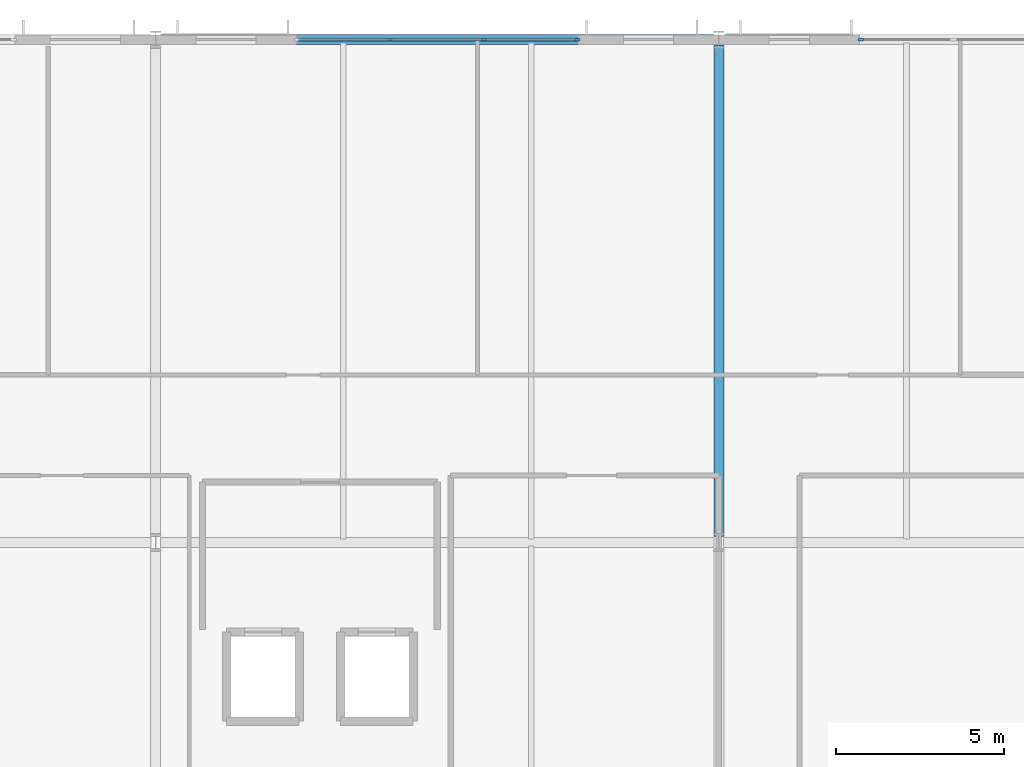
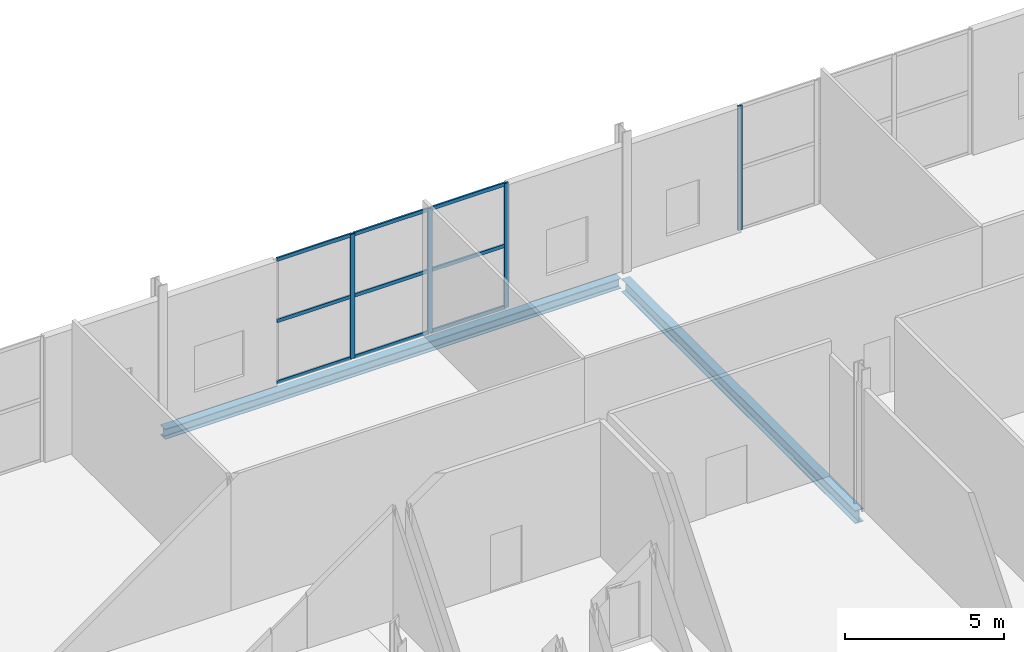
# One storey, part 33 of 84: 13 members, 2 beams, 2 elements without a shape of their own.
"""IFC4 building model written with IfcOpenShell, lengths in metres."""

from ifc_helpers import new_model, si_unit, direction, frame, origin, origin_2d, place, context, subcontext, project, spatial, rectangle, i_section, extrude, material, material_profile, profile_set, type_object, element, aggregate, save


model = new_model("IFC4")

# Units and contexts
model_context = context("Model", 3, precision=1e-05, world=origin(), true_north=direction((0.0, 1.0)))
body_context = subcontext(model_context, "Body", "Model", "MODEL_VIEW")
ifc_project = project(units=[si_unit("LENGTHUNIT", "METRE"), si_unit("AREAUNIT", "SQUARE_METRE"), si_unit("VOLUMEUNIT", "CUBIC_METRE"), si_unit("PLANEANGLEUNIT", "RADIAN"), si_unit("MASSUNIT", "GRAM", prefix="KILO")], contexts=[model_context])

# Site, building, storey
site_placement = place(None, origin())
site = spatial("IfcSite", under=ifc_project, at=site_placement, CompositionType="ELEMENT")
building_placement = place(site_placement, origin())
building = spatial("IfcBuilding", under=site, at=building_placement, Name="Kimbaza Rail Terminus", CompositionType="ELEMENT")
storey_placement = place(building_placement, frame((0.0, 0.0, 5.39990234375)))
storey = spatial("IfcBuildingStorey", under=building, at=storey_placement, Name="L01", CompositionType="ELEMENT", Elevation=5.39990234375)

# Curtain wall, members
ifc_material_1 = material(Name="Anodised aluminium framing and solar low-E glazing", Category="aluminium")
curtain_wall_type = type_object("IfcCurtainWallType", Name="ARC-CW-OP1", PredefinedType="USERDEFINED", material=ifc_material_1)
curtain_wall_1_placement = place(storey_placement, origin())
curtain_wall_1 = element("IfcCurtainWall", 1, at=curtain_wall_1_placement, inside=storey, type_object=curtain_wall_type, Name="Operations North Curtain Wall L01 Bay 3", ObjectType="UNITISED CURTAIN WALL", PredefinedType="USERDEFINED")
ifc_material_2 = material(Name="Anodised architectural aluminium", Category="aluminium")
ifc_material_profile_1 = material_profile(ifc_material_2, rectangle(XDim=0.06201171875, YDim=0.1650390625, at=origin_2d()), Name="MULLION 62x165")
ifc_profile_set_1 = profile_set([ifc_material_profile_1], Name="Anodised architectural aluminium")
member_type_1 = type_object("IfcMemberType", Name="ARC-CWM-05", PredefinedType="MULLION", material=ifc_profile_set_1)
member_1_placement = place(storey_placement, frame((95.800048828125, 133.0, 0.0), z_axis=(0.0, 0.0, 1.0), x_axis=(0.0, 1.0, 0.0)))
member_1 = element("IfcMember", 2, at=member_1_placement, type_object=member_type_1, Name="CW-05 mullion 2", PredefinedType="MULLION", context=body_context, shape_type="SweptSolid", body=[
    extrude(rectangle(XDim=0.06201171875, YDim=0.1650390625, at=origin_2d()), origin(), (0.0, 0.0, 1.0), 4.76513671875),
])
member_2_placement = place(storey_placement, frame((98.60009765625, 133.0, 0.0), z_axis=(0.0, 0.0, 1.0), x_axis=(0.0, 1.0, 0.0)))
member_2 = element("IfcMember", 3, at=member_2_placement, type_object=member_type_1, Name="CW-05 mullion 3", PredefinedType="MULLION", context=body_context, shape_type="SweptSolid", body=[
    extrude(rectangle(XDim=0.06201171875, YDim=0.1650390625, at=origin_2d()), origin(), (0.0, 0.0, 1.0), 4.76513671875),
])
member_3_placement = place(storey_placement, frame((101.368896484375, 133.0, 0.0), z_axis=(0.0, 0.0, 1.0), x_axis=(0.0, 1.0, 0.0)))
member_3 = element("IfcMember", 4, at=member_3_placement, type_object=member_type_1, Name="CW-05 mullion 4", PredefinedType="MULLION", context=body_context, shape_type="SweptSolid", body=[
    extrude(rectangle(XDim=0.06201171875, YDim=0.1650390625, at=origin_2d()), origin(), (0.0, 0.0, 1.0), 4.76513671875),
])

# Curtain wall, member
curtain_wall_2_placement = place(storey_placement, origin())
curtain_wall_2 = element("IfcCurtainWall", 5, at=curtain_wall_2_placement, inside=storey, type_object=curtain_wall_type, Name="Operations North Curtain Wall L01 Bay 4", ObjectType="UNITISED CURTAIN WALL", PredefinedType="USERDEFINED")
member_4_placement = place(storey_placement, frame((109.8310546875, 133.0, 0.0), z_axis=(0.0, 0.0, 1.0), x_axis=(0.0, 1.0, 0.0)))
member_4 = element("IfcMember", 6, at=member_4_placement, type_object=member_type_1, Name="CW-05 mullion 1", PredefinedType="MULLION", context=body_context, shape_type="SweptSolid", body=[
    extrude(rectangle(XDim=0.06201171875, YDim=0.1650390625, at=origin_2d()), origin(), (0.0, 0.0, 1.0), 4.76513671875),
])
aggregate(curtain_wall_2, [member_4])

# Member
ifc_material_3 = material(Name="Anodised architectural aluminium", Category="aluminium")
ifc_material_profile_2 = material_profile(ifc_material_3, rectangle(XDim=0.06201171875, YDim=0.135009765625, at=origin_2d()), Name="TRANSOM 62x135")
ifc_profile_set_2 = profile_set([ifc_material_profile_2], Name="Anodised architectural aluminium")
member_type_2 = type_object("IfcMemberType", Name="ARC-CWT-05", PredefinedType="USERDEFINED", material=ifc_profile_set_2)
member_5_placement = place(storey_placement, frame((93.06201171875, 133.0, 0.031005859375), z_axis=(1.0, 0.0, 0.0), x_axis=(0.0, 1.0, 0.0)))
member_5 = element("IfcMember", 7, at=member_5_placement, type_object=member_type_2, Name="CW-05 transom 1.1", ObjectType="TRANSOM", PredefinedType="USERDEFINED", context=body_context, shape_type="SweptSolid", body=[
    extrude(rectangle(XDim=0.06201171875, YDim=0.135009765625, at=origin_2d()), origin(), (0.0, 0.0, 1.0), 2.70703125),
])

member_6_placement = place(storey_placement, frame((93.06201171875, 133.0, 2.382568359375), z_axis=(1.0, 0.0, 0.0), x_axis=(0.0, 1.0, 0.0)))
member_6 = element("IfcMember", 8, at=member_6_placement, type_object=member_type_2, Name="CW-05 transom 1.2", ObjectType="TRANSOM", PredefinedType="USERDEFINED", context=body_context, shape_type="SweptSolid", body=[
    extrude(rectangle(XDim=0.06201171875, YDim=0.135009765625, at=origin_2d()), origin(), (0.0, 0.0, 1.0), 2.70703125),
])

member_7_placement = place(storey_placement, frame((93.06201171875, 133.0, 4.734130859375), z_axis=(1.0, 0.0, 0.0), x_axis=(0.0, 1.0, 0.0)))
member_7 = element("IfcMember", 9, at=member_7_placement, type_object=member_type_2, Name="CW-05 transom 1.3", ObjectType="TRANSOM", PredefinedType="USERDEFINED", context=body_context, shape_type="SweptSolid", body=[
    extrude(rectangle(XDim=0.06201171875, YDim=0.135009765625, at=origin_2d()), origin(), (0.0, 0.0, 1.0), 2.70703125),
])

member_8_placement = place(storey_placement, frame((95.8310546875, 133.0, 0.031005859375), z_axis=(1.0, 0.0, 0.0), x_axis=(0.0, 1.0, 0.0)))
member_8 = element("IfcMember", 10, at=member_8_placement, type_object=member_type_2, Name="CW-05 transom 2.1", ObjectType="TRANSOM", PredefinedType="USERDEFINED", context=body_context, shape_type="SweptSolid", body=[
    extrude(rectangle(XDim=0.06201171875, YDim=0.135009765625, at=origin_2d()), origin(), (0.0, 0.0, 1.0), 2.738037109375),
])

member_9_placement = place(storey_placement, frame((95.8310546875, 133.0, 2.382568359375), z_axis=(1.0, 0.0, 0.0), x_axis=(0.0, 1.0, 0.0)))
member_9 = element("IfcMember", 11, at=member_9_placement, type_object=member_type_2, Name="CW-05 transom 2.2", ObjectType="TRANSOM", PredefinedType="USERDEFINED", context=body_context, shape_type="SweptSolid", body=[
    extrude(rectangle(XDim=0.06201171875, YDim=0.135009765625, at=origin_2d()), origin(), (0.0, 0.0, 1.0), 2.738037109375),
])

member_10_placement = place(storey_placement, frame((95.8310546875, 133.0, 4.734130859375), z_axis=(1.0, 0.0, 0.0), x_axis=(0.0, 1.0, 0.0)))
member_10 = element("IfcMember", 12, at=member_10_placement, type_object=member_type_2, Name="CW-05 transom 2.3", ObjectType="TRANSOM", PredefinedType="USERDEFINED", context=body_context, shape_type="SweptSolid", body=[
    extrude(rectangle(XDim=0.06201171875, YDim=0.135009765625, at=origin_2d()), origin(), (0.0, 0.0, 1.0), 2.738037109375),
])

member_11_placement = place(storey_placement, frame((98.631103515625, 133.0, 0.031005859375), z_axis=(1.0, 0.0, 0.0), x_axis=(0.0, 1.0, 0.0)))
member_11 = element("IfcMember", 13, at=member_11_placement, type_object=member_type_2, Name="CW-05 transom 3.1", ObjectType="TRANSOM", PredefinedType="USERDEFINED", context=body_context, shape_type="SweptSolid", body=[
    extrude(rectangle(XDim=0.06201171875, YDim=0.135009765625, at=origin_2d()), origin(), (0.0, 0.0, 1.0), 2.706787109375),
])

member_12_placement = place(storey_placement, frame((98.631103515625, 133.0, 2.382568359375), z_axis=(1.0, 0.0, 0.0), x_axis=(0.0, 1.0, 0.0)))
member_12 = element("IfcMember", 14, at=member_12_placement, type_object=member_type_2, Name="CW-05 transom 3.2", ObjectType="TRANSOM", PredefinedType="USERDEFINED", context=body_context, shape_type="SweptSolid", body=[
    extrude(rectangle(XDim=0.06201171875, YDim=0.135009765625, at=origin_2d()), origin(), (0.0, 0.0, 1.0), 2.706787109375),
])

member_13_placement = place(storey_placement, frame((98.631103515625, 133.0, 4.734130859375), z_axis=(1.0, 0.0, 0.0), x_axis=(0.0, 1.0, 0.0)))
member_13 = element("IfcMember", 15, at=member_13_placement, type_object=member_type_2, Name="CW-05 transom 3.3", ObjectType="TRANSOM", PredefinedType="USERDEFINED", context=body_context, shape_type="SweptSolid", body=[
    extrude(rectangle(XDim=0.06201171875, YDim=0.135009765625, at=origin_2d()), origin(), (0.0, 0.0, 1.0), 2.706787109375),
])

aggregate(curtain_wall_1, [member_1, member_2, member_3, member_5, member_6, member_7, member_8, member_9, member_10, member_11, member_12, member_13])

# Beams
ifc_material_4 = material(Name="Steel S355", Category="steel")
ifc_material_profile_3 = material_profile(ifc_material_4, i_section(OverallWidth=0.300048828125, OverallDepth=0.389892578125, WebThickness=0.010986328125, FlangeThickness=0.01904296875, FilletRadius=0.027099609375, at=origin_2d()), Name="HEA 400")
ifc_profile_set_3 = profile_set([ifc_material_profile_3], Name="Steel S355")
beam_type_1 = type_object("IfcBeamType", Name="STR-BM-HEA400", PredefinedType="SPANDREL", material=ifc_profile_set_3)
beam_1_placement = place(storey_placement, frame((88.946044921875, 133.0, -0.434814453125), z_axis=(1.0, 0.0, 0.0), x_axis=(0.0, 1.0, 0.0)))
element("IfcBeam", 16, at=beam_1_placement, inside=storey, type_object=beam_type_1, Name="Operations Girder L01 X2-Y2", PredefinedType="SPANDREL", context=body_context, shape_type="SweptSolid", body=[
    extrude(i_section(OverallWidth=0.300048828125, OverallDepth=0.389892578125, WebThickness=0.010986328125, FlangeThickness=0.01904296875, FilletRadius=0.027099609375, at=origin_2d()), origin(), (0.0, 0.0, 1.0), 16.508056640625),
])
ifc_material_5 = material(Name="Steel S355", Category="steel")
ifc_material_profile_4 = material_profile(ifc_material_5, i_section(OverallWidth=0.300048828125, OverallDepth=0.5, WebThickness=0.014404296875, FlangeThickness=0.028076171875, FilletRadius=0.027099609375, at=origin_2d()), Name="HEB 500")
ifc_profile_set_4 = profile_set([ifc_material_profile_4], Name="Steel S355")
beam_type_2 = type_object("IfcBeamType", Name="STR-BM-HEB500", PredefinedType="BEAM", material=ifc_profile_set_4)
beam_2_placement = place(storey_placement, frame((105.60009765625, 118.175048828125, -0.489990234375), z_axis=(0.0, 1.0, 0.0), x_axis=(-1.0, 0.0, 0.0)))
element("IfcBeam", 17, at=beam_2_placement, inside=storey, type_object=beam_type_2, Name="Operations Cross Girder L01 X3-Y1", PredefinedType="BEAM", context=body_context, shape_type="SweptSolid", body=[
    extrude(i_section(OverallWidth=0.300048828125, OverallDepth=0.5, WebThickness=0.014404296875, FlangeThickness=0.028076171875, FilletRadius=0.027099609375, at=origin_2d()), origin(), (0.0, 0.0, 1.0), 14.64990234375),
])

save(model, "model.ifc")
